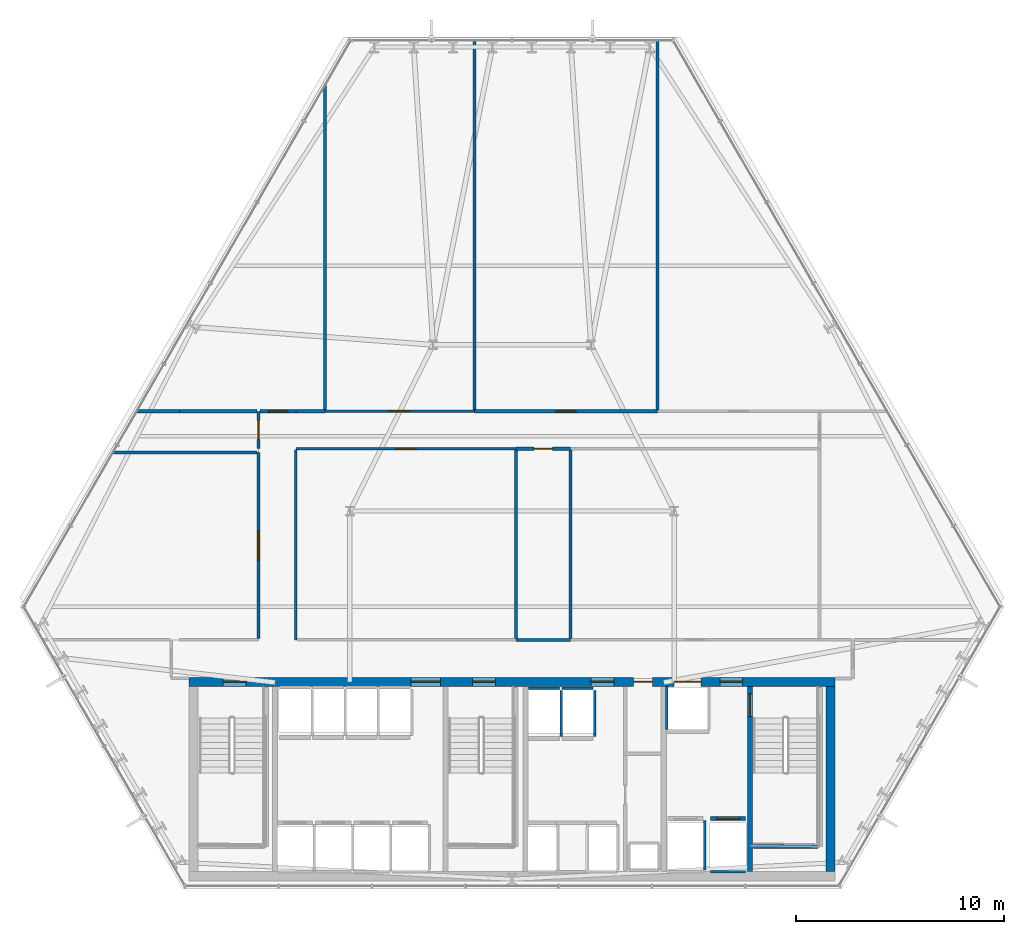
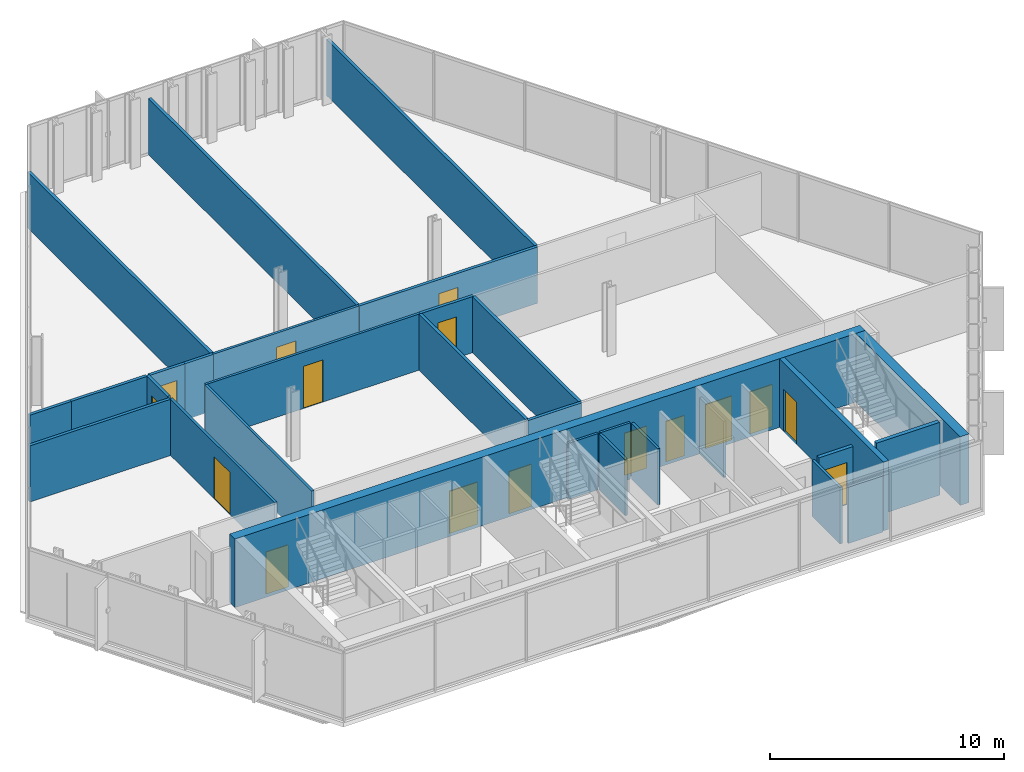
# One storey, part 27 of 32: 30 walls, 16 doors, 16 openings.
"""IFC4 building model written with IfcOpenShell, lengths in metres."""

import ifcopenshell
import ifcopenshell.guid

model = None  # the IFC model being written
_history = None  # IfcOwnerHistory: only IFC2X3 demands one
_inside = {}  # id of a spatial element -> (the spatial element, [elements in it])
_under = {}  # id of a project, library or spatial element -> (it, [spatial elements below it])
_declared = {}  # id of a project -> (the project, [libraries it declares])
_typed = {}  # id of a type object -> (the type object, [elements of that type])
_made_of = {}  # id of a material, layer set ... -> (it, [elements and type objects made of it])


def new_model(schema):
    """Start an empty IFC model of exactly this schema.

    Asked for "IFC4X3", IfcOpenShell would pick the latest addendum, in which some entities
    have other attributes; the version numbers below select the first issue.
    IFC2X3 requires an IfcOwnerHistory on every rooted entity: one is made here for all.
    """
    global model, _history
    if schema == "IFC4X3":
        model = ifcopenshell.file(schema_version=(4, 3, 0, 0))
    else:
        model = ifcopenshell.file(schema=schema)
    _inside.clear()
    _under.clear()
    _declared.clear()
    _typed.clear()
    _made_of.clear()
    _history = None
    if model.schema == "IFC2X3":
        org = make("IfcOrganization", Name="unknown")
        user = make(
            "IfcPersonAndOrganization",
            ThePerson=make("IfcPerson", FamilyName="unknown"),
            TheOrganization=org,
        )
        app = make(
            "IfcApplication",
            ApplicationDeveloper=org,
            Version="unknown",
            ApplicationFullName="unknown",
            ApplicationIdentifier="unknown",
        )
        _history = make(
            "IfcOwnerHistory",
            OwningUser=user,
            OwningApplication=app,
            ChangeAction="ADDED",
            CreationDate=0,
        )
    return model


def make(cls, **values):
    """One entity of the class cls with the attributes given. An attribute that is None is left unset."""
    return model.create_entity(
        cls, **{name: value for name, value in values.items() if value is not None}
    )


def rooted(cls, **values):
    """An entity with a GlobalId (a new one), such as an element, a storey or a relation."""
    return make(cls, GlobalId=ifcopenshell.guid.new(), OwnerHistory=_history, **values)


def si_unit(unit_type, name, prefix=None):
    """IfcSIUnit, for example si_unit("LENGTHUNIT", "METRE", prefix="MILLI")."""
    return make("IfcSIUnit", UnitType=unit_type, Prefix=prefix, Name=name)


def assignment(units):
    """IfcUnitAssignment: the units of a project."""
    return None if units is None else make("IfcUnitAssignment", Units=units)


def point(xyz):
    """IfcCartesianPoint."""
    return None if xyz is None else make("IfcCartesianPoint", Coordinates=xyz)


def direction(xyz):
    """IfcDirection."""
    return None if xyz is None else make("IfcDirection", DirectionRatios=xyz)


def frame(location, z_axis=None, x_axis=None):
    """IfcAxis2Placement3D, a coordinate frame: its origin and axes. An axis left out is left unset."""
    return make(
        "IfcAxis2Placement3D",
        Location=point(location),
        Axis=direction(z_axis),
        RefDirection=direction(x_axis),
    )


def frame_2d(location, x_axis=None):
    """IfcAxis2Placement2D, a coordinate frame in the plane: its origin and x axis."""
    return make(
        "IfcAxis2Placement2D", Location=point(location), RefDirection=direction(x_axis)
    )


def origin():
    """The frame at (0, 0, 0) with its axes left unset."""
    return frame((0.0, 0.0, 0.0))


def place(relative_to, where):
    """IfcLocalPlacement: puts the frame where relative to a parent placement (None: the world)."""
    return make(
        "IfcLocalPlacement", PlacementRelTo=relative_to, RelativePlacement=where
    )


def context(
    kind, dimensions, precision=None, world=None, true_north=None, identifier=None
):
    """IfcGeometricRepresentationContext, for example the 3D "Model" context."""
    return make(
        "IfcGeometricRepresentationContext",
        ContextIdentifier=identifier,
        ContextType=kind,
        CoordinateSpaceDimension=dimensions,
        Precision=precision,
        WorldCoordinateSystem=world,
        TrueNorth=true_north,
    )


def subcontext(parent, identifier, kind, view, scale=None):
    """IfcGeometricRepresentationSubContext, for example "Body" below "Model"."""
    return make(
        "IfcGeometricRepresentationSubContext",
        ContextIdentifier=identifier,
        ContextType=kind,
        ParentContext=parent,
        TargetScale=scale,
        TargetView=view,
    )


def project(units=None, contexts=None):
    """IfcProject with its units and contexts."""
    return rooted(
        "IfcProject",
        Name="project",
        RepresentationContexts=contexts,
        UnitsInContext=assignment(units),
    )


def spatial(cls, under=None, at=None, **own):
    """A site, building, storey or space (cls), placed at a placement, below another one or the project."""
    s = rooted(cls, ObjectPlacement=at, **own)
    if under is not None:
        _under.setdefault(under.id(), (under, []))[1].append(s)
    return s


def profile(cls, at=None, kind="AREA", **sizes):
    """A parametric profile (cls). Its sizes go by their IFC names, for example OverallWidth=200.0."""
    return make(cls, ProfileType=kind, Position=at, **sizes)


def rectangle(**sizes):
    """IfcRectangleProfileDef."""
    return profile("IfcRectangleProfileDef", **sizes)


def extrude(swept, where, along, depth):
    """IfcExtrudedAreaSolid: the profile swept, set in the frame where, extruded along a direction by depth."""
    return make(
        "IfcExtrudedAreaSolid",
        SweptArea=swept,
        Position=where,
        ExtrudedDirection=direction(along),
        Depth=depth,
    )


def shape(context_of_items, identifier, shape_type, items):
    """IfcShapeRepresentation: the items that make up one representation, for example the "Body"."""
    return make(
        "IfcShapeRepresentation",
        ContextOfItems=context_of_items,
        RepresentationIdentifier=identifier,
        RepresentationType=shape_type,
        Items=items,
    )


def material(Name=None, Category=None):
    """IfcMaterial."""
    return make("IfcMaterial", Name=Name, Category=Category)


def layer(
    of_material, thickness, ventilated=None, Name=None, Category=None, Priority=None
):
    """IfcMaterialLayer: one layer of a wall or slab, of a material (None: an air gap)."""
    return make(
        "IfcMaterialLayer",
        Material=of_material,
        LayerThickness=thickness,
        IsVentilated=ventilated,
        Name=Name,
        Category=Category,
        Priority=Priority,
    )


def layer_set(layers, Name=None):
    """IfcMaterialLayerSet."""
    return make("IfcMaterialLayerSet", MaterialLayers=layers, LayerSetName=Name)


def made_of(thing, what):
    """Note that an element or type object is made of a material, layer set ...; save() writes the relation."""
    if what is not None:
        _made_of.setdefault(what.id(), (what, []))[1].append(thing)
    return thing


def type_object(cls, material=None, **own):
    """A type object (cls), such as IfcWallType, which elements share."""
    return made_of(rooted(cls, **own), material)


def element(
    cls,
    number,
    at=None,
    inside=None,
    cuts=None,
    type_object=None,
    material=None,
    context=None,
    identifier="Body",
    shape_type=None,
    held_by="IfcProductDefinitionShape",
    body=None,
    shapes=None,
    **own,
):
    """One element of the class cls, such as IfcWall. Its Tag is "e" and its number.

    at: its placement. inside: the storey or other place that contains it. cuts: it is an
    opening in that element (IfcRelVoidsElement). A single representation is given by context,
    identifier, shape_type and body (its items); several are given by shapes. held_by: the class
    of the entity that holds the representations. save() writes the other relations.
    """
    e = rooted(cls, Tag="e%d" % number, ObjectPlacement=at, **own)
    if body is not None:
        shapes = [shape(context, identifier, shape_type, body)]
    if shapes is not None:
        e.Representation = make(held_by, Representations=shapes)
    if inside is not None:
        _inside.setdefault(inside.id(), (inside, []))[1].append(e)
    if cuts is not None:
        rooted(
            "IfcRelVoidsElement", RelatingBuildingElement=cuts, RelatedOpeningElement=e
        )
    if type_object is not None:
        _typed.setdefault(type_object.id(), (type_object, []))[1].append(e)
    return made_of(e, material)


def fill(opening, filler):
    """IfcRelFillsElement: the door or window that sits in an opening."""
    return rooted(
        "IfcRelFillsElement",
        RelatingOpeningElement=opening,
        RelatedBuildingElement=filler,
    )


def aggregate(whole, parts):
    """IfcRelAggregates: a whole, such as a stair, and the parts it consists of."""
    return rooted("IfcRelAggregates", RelatingObject=whole, RelatedObjects=parts)


def save(model, path):
    """Write the relations noted so far, then the file.

    IfcRelAggregates (storeys below a building ...), IfcRelContainedInSpatialStructure (elements
    in a storey), IfcRelDefinesByType, IfcRelAssociatesMaterial and IfcRelDeclares: one each for
    every whole, place, type object, material and project.
    """
    for whole, parts in _under.values():
        aggregate(whole, parts)
    for where, things in _inside.values():
        rooted(
            "IfcRelContainedInSpatialStructure",
            RelatedElements=things,
            RelatingStructure=where,
        )
    for kind, things in _typed.values():
        rooted("IfcRelDefinesByType", RelatedObjects=things, RelatingType=kind)
    for what, things in _made_of.values():
        rooted("IfcRelAssociatesMaterial", RelatedObjects=things, RelatingMaterial=what)
    for by, libraries in _declared.values():
        rooted("IfcRelDeclares", RelatingContext=by, RelatedDefinitions=libraries)
    model.write(path)


model = new_model("IFC4")

# Units and contexts
model_context = context("Model", 3, precision=1e-05, world=origin(), true_north=direction((0.0, 1.0)))
body_context = subcontext(model_context, "Body", "Model", "MODEL_VIEW")
ifc_project = project(units=[si_unit("LENGTHUNIT", "METRE"), si_unit("AREAUNIT", "SQUARE_METRE"), si_unit("VOLUMEUNIT", "CUBIC_METRE"), si_unit("PLANEANGLEUNIT", "RADIAN"), si_unit("MASSUNIT", "GRAM", prefix="KILO")], contexts=[model_context])

# Site, building, storey
site_placement = place(None, origin())
site = spatial("IfcSite", under=ifc_project, at=site_placement, CompositionType="ELEMENT")
building_placement = place(site_placement, origin())
building = spatial("IfcBuilding", under=site, at=building_placement, Name="Ndaravel Arena Tower", CompositionType="ELEMENT")
storey_placement = place(building_placement, frame((0.0, 0.0, 58.800048828125)))
storey = spatial("IfcBuildingStorey", under=building, at=storey_placement, Name="L12", CompositionType="ELEMENT", Elevation=58.800048828125)

# Wall, opening, door
ifc_material_1 = material(Name="Concrete C60/75", Category="concrete")
ifc_layer_1 = layer(ifc_material_1, 0.25)
ifc_layer_set_1 = layer_set([ifc_layer_1], Name="Concrete C60/75")
wall_type_1 = type_object("IfcWallType", Name="WALL-CORE-250", PredefinedType="SOLIDWALL", material=ifc_layer_set_1)
wall_1_placement = place(storey_placement, frame((53.449951171875, 5.85009765625, 0.0), z_axis=(0.0, 0.0, 1.0), x_axis=(0.0, 1.0, 0.0)))
wall_1 = element("IfcWall", 1, at=wall_1_placement, inside=storey, type_object=wall_type_1, Name="L12 Core Web Shear Wall 5", PredefinedType="SOLIDWALL", context=body_context, shape_type="SweptSolid", body=[
    extrude(rectangle(XDim=8.89990234375, YDim=0.25, at=frame_2d((4.449951171875, 0.0))), origin(), (0.0, 0.0, 1.0), 3.579833984375),
])
opening_1_placement = place(wall_1_placement, frame((7.449951171875, 0.0, 0.0)))
opening_1 = element("IfcOpeningElement", 2, at=opening_1_placement, cuts=wall_1, Name="Opening FD-01", PredefinedType="OPENING", context=body_context, shape_type="SweptSolid", body=[
    extrude(rectangle(XDim=1.10009765625, YDim=2.199951171875, at=frame_2d((0.550048828125, 1.10009765625))), frame((0.0, 0.125, 0.0), z_axis=(0.0, -1.0, 0.0), x_axis=(1.0, 0.0, 0.0)), (0.0, 0.0, 1.0), 0.25),
])
ifc_material_2 = material(Name="Steel S355", Category="steel")
door_type_1 = type_object("IfcDoorType", Name="DT-01-STAIR-1100", OperationType="SINGLE_SWING_LEFT", PredefinedType="DOOR", material=ifc_material_2)
door_1_placement = place(opening_1_placement, origin())
door_1 = element("IfcDoor", 3, at=door_1_placement, inside=storey, type_object=door_type_1, Name="L12 Firefighting Lobby to ST-3 Door", OperationType="SINGLE_SWING_LEFT", OverallHeight=2.199951171875, OverallWidth=1.10009765625, PredefinedType="DOOR", context=body_context, shape_type="SweptSolid", body=[
    extrude(rectangle(XDim=1.10009765625, YDim=2.199951171875, at=frame_2d((0.550048828125, 1.10009765625))), frame((0.0, 0.02490234375, 0.0), z_axis=(0.0, -1.0, 0.0), x_axis=(1.0, 0.0, 0.0)), (0.0, 0.0, 1.0), 0.050048828125),
])
fill(opening_1, door_1)

# Wall, openings, doors
ifc_material_3 = material(Name="Concrete C60/75", Category="concrete")
ifc_layer_2 = layer(ifc_material_3, 0.449951171875)
ifc_layer_set_2 = layer_set([ifc_layer_2], Name="Concrete C60/75")
wall_type_2 = type_object("IfcWallType", Name="WALL-CORE-450", PredefinedType="SOLIDWALL", material=ifc_layer_set_2)
wall_2_placement = place(storey_placement, frame((26.449951171875, 14.97509765625, 0.0), z_axis=(0.0, 0.0, 1.0), x_axis=(1.0, 0.0, 0.0)))
wall_2 = element("IfcWall", 4, at=wall_2_placement, inside=storey, type_object=wall_type_2, Name="L12 Core North Shear Wall", PredefinedType="SOLIDWALL", context=body_context, shape_type="SweptSolid", body=[
    extrude(rectangle(XDim=31.10009765625, YDim=0.449951171875, at=frame_2d((15.550048828125, 0.0))), origin(), (0.0, 0.0, 1.0), 3.579833984375),
])
opening_2_placement = place(wall_2_placement, frame((1.64990234375, 0.0, 0.0)))
opening_2 = element("IfcOpeningElement", 5, at=opening_2_placement, cuts=wall_2, Name="Opening FD-01", PredefinedType="OPENING", context=body_context, shape_type="SweptSolid", body=[
    extrude(rectangle(XDim=1.10009765625, YDim=2.199951171875, at=frame_2d((0.550048828125, 1.10009765625))), frame((0.0, 0.22509765625, 0.0), z_axis=(0.0, -1.0, 0.0), x_axis=(1.0, 0.0, 0.0)), (0.0, 0.0, 1.0), 0.449951171875),
])
opening_3_placement = place(wall_2_placement, frame((13.64990234375, 0.0, 0.0)))
opening_3 = element("IfcOpeningElement", 6, at=opening_3_placement, cuts=wall_2, Name="Opening FD-01", PredefinedType="OPENING", context=body_context, shape_type="SweptSolid", body=[
    extrude(rectangle(XDim=1.10009765625, YDim=2.199951171875, at=frame_2d((0.550048828125, 1.10009765625))), frame((0.0, 0.22509765625, 0.0), z_axis=(0.0, -1.0, 0.0), x_axis=(1.0, 0.0, 0.0)), (0.0, 0.0, 1.0), 0.449951171875),
])
opening_4_placement = place(wall_2_placement, frame((25.550048828125, 0.0, 0.0)))
opening_4 = element("IfcOpeningElement", 7, at=opening_4_placement, cuts=wall_2, Name="Opening FD-01", PredefinedType="OPENING", context=body_context, shape_type="SweptSolid", body=[
    extrude(rectangle(XDim=1.10009765625, YDim=2.199951171875, at=frame_2d((0.550048828125, 1.10009765625))), frame((0.0, 0.22509765625, 0.0), z_axis=(0.0, -1.0, 0.0), x_axis=(1.0, 0.0, 0.0)), (0.0, 0.0, 1.0), 0.449951171875),
])
opening_5_placement = place(wall_2_placement, frame((10.699951171875, 0.0, 0.0)))
opening_5 = element("IfcOpeningElement", 8, at=opening_5_placement, cuts=wall_2, Name="Opening ID-02", PredefinedType="OPENING", context=body_context, shape_type="SweptSolid", body=[
    extrude(rectangle(XDim=1.39990234375, YDim=2.199951171875, at=frame_2d((0.699951171875, 1.10009765625))), frame((0.0, 0.22509765625, 0.0), z_axis=(0.0, -1.0, 0.0), x_axis=(1.0, 0.0, 0.0)), (0.0, 0.0, 1.0), 0.449951171875),
])
opening_6_placement = place(wall_2_placement, frame((19.35009765625, 0.0, 0.0)))
opening_6 = element("IfcOpeningElement", 9, at=opening_6_placement, cuts=wall_2, Name="Opening FD-01", PredefinedType="OPENING", context=body_context, shape_type="SweptSolid", body=[
    extrude(rectangle(XDim=1.10009765625, YDim=2.199951171875, at=frame_2d((0.550048828125, 1.10009765625))), frame((0.0, 0.22509765625, 0.0), z_axis=(0.0, -1.0, 0.0), x_axis=(1.0, 0.0, 0.0)), (0.0, 0.0, 1.0), 0.449951171875),
])
opening_7_placement = place(wall_2_placement, frame((21.39990234375, 0.0, 0.0)))
opening_7 = element("IfcOpeningElement", 10, at=opening_7_placement, cuts=wall_2, Name="Opening RD-01", PredefinedType="OPENING", context=body_context, shape_type="SweptSolid", body=[
    extrude(rectangle(XDim=0.89990234375, YDim=2.10009765625, at=frame_2d((0.449951171875, 1.050048828125))), frame((0.0, 0.22509765625, 0.0), z_axis=(0.0, -1.0, 0.0), x_axis=(1.0, 0.0, 0.0)), (0.0, 0.0, 1.0), 0.449951171875),
])
opening_8_placement = place(wall_2_placement, frame((23.35009765625, 0.0, 0.0)))
opening_8 = element("IfcOpeningElement", 11, at=opening_8_placement, cuts=wall_2, Name="Opening LD-02", PredefinedType="OPENING", context=body_context, shape_type="SweptSolid", body=[
    extrude(rectangle(XDim=1.300048828125, YDim=2.300048828125, at=frame_2d((0.64990234375, 1.14990234375))), frame((0.0, 0.22509765625, 0.0), z_axis=(0.0, -1.0, 0.0), x_axis=(1.0, 0.0, 0.0)), (0.0, 0.0, 1.0), 0.449951171875),
])
door_2_placement = place(opening_2_placement, origin())
door_2 = element("IfcDoor", 12, at=door_2_placement, inside=storey, type_object=door_type_1, Name="L12 Exit Stair ST-1 Door", OperationType="SINGLE_SWING_LEFT", OverallHeight=2.199951171875, OverallWidth=1.10009765625, PredefinedType="DOOR", context=body_context, shape_type="SweptSolid", body=[
    extrude(rectangle(XDim=1.10009765625, YDim=2.199951171875, at=frame_2d((0.550048828125, 1.10009765625))), frame((0.0, 0.02490234375, 0.0), z_axis=(0.0, -1.0, 0.0), x_axis=(1.0, 0.0, 0.0)), (0.0, 0.0, 1.0), 0.050048828125),
])
fill(opening_2, door_2)
door_3_placement = place(opening_3_placement, origin())
door_3 = element("IfcDoor", 13, at=door_3_placement, inside=storey, type_object=door_type_1, Name="L12 Exit Stair ST-2 Door", OperationType="SINGLE_SWING_RIGHT", OverallHeight=2.199951171875, OverallWidth=1.10009765625, PredefinedType="DOOR", context=body_context, shape_type="SweptSolid", body=[
    extrude(rectangle(XDim=1.10009765625, YDim=2.199951171875, at=frame_2d((0.550048828125, 1.10009765625))), frame((0.0, 0.02490234375, 0.0), z_axis=(0.0, -1.0, 0.0), x_axis=(1.0, 0.0, 0.0)), (0.0, 0.0, 1.0), 0.050048828125),
])
fill(opening_3, door_3)
door_4_placement = place(opening_4_placement, origin())
door_4 = element("IfcDoor", 14, at=door_4_placement, inside=storey, type_object=door_type_1, Name="L12 Firefighting Lift Lobby Door", OperationType="SINGLE_SWING_RIGHT", OverallHeight=2.199951171875, OverallWidth=1.10009765625, PredefinedType="DOOR", context=body_context, shape_type="SweptSolid", body=[
    extrude(rectangle(XDim=1.10009765625, YDim=2.199951171875, at=frame_2d((0.550048828125, 1.10009765625))), frame((0.0, 0.02490234375, 0.0), z_axis=(0.0, -1.0, 0.0), x_axis=(1.0, 0.0, 0.0)), (0.0, 0.0, 1.0), 0.050048828125),
])
fill(opening_4, door_4)
door_5_placement = place(opening_6_placement, origin())
door_5 = element("IfcDoor", 15, at=door_5_placement, inside=storey, type_object=door_type_1, Name="L12 Express Lift Lobby Entry Door", OperationType="SINGLE_SWING_LEFT", OverallHeight=2.199951171875, OverallWidth=1.10009765625, PredefinedType="DOOR", context=body_context, shape_type="SweptSolid", body=[
    extrude(rectangle(XDim=1.10009765625, YDim=2.199951171875, at=frame_2d((0.550048828125, 1.10009765625))), frame((0.0, 0.02490234375, 0.0), z_axis=(0.0, -1.0, 0.0), x_axis=(1.0, 0.0, 0.0)), (0.0, 0.0, 1.0), 0.050048828125),
])
fill(opening_6, door_5)
ifc_material_4 = material(Name="Timber", Category="wood")
door_type_2 = type_object("IfcDoorType", Name="DT-04-SUITE-1400", OperationType="DOUBLE_DOOR_SINGLE_SWING", PredefinedType="DOOR", material=ifc_material_4)
door_6_placement = place(opening_5_placement, origin())
door_6 = element("IfcDoor", 16, at=door_6_placement, inside=storey, type_object=door_type_2, Name="L12 West Lift Lobby Entry Door", OperationType="DOUBLE_DOOR_SINGLE_SWING", OverallHeight=2.199951171875, OverallWidth=1.39990234375, PredefinedType="DOOR", context=body_context, shape_type="SweptSolid", body=[
    extrude(rectangle(XDim=1.39990234375, YDim=2.199951171875, at=frame_2d((0.699951171875, 1.10009765625))), frame((0.0, 0.02490234375, 0.0), z_axis=(0.0, -1.0, 0.0), x_axis=(1.0, 0.0, 0.0)), (0.0, 0.0, 1.0), 0.050048828125),
])
fill(opening_5, door_6)
ifc_material_5 = material(Name="Steel S355", Category="steel")
door_type_3 = type_object("IfcDoorType", Name="DT-07-SVLIFT-1300", OperationType="DOUBLE_DOOR_SLIDING", PredefinedType="DOOR", material=ifc_material_5)
door_7_placement = place(opening_8_placement, origin())
door_7 = element("IfcDoor", 17, at=door_7_placement, inside=storey, type_object=door_type_3, Name="L12 Lift SVL-1 Sliding Landing Door", OperationType="DOUBLE_DOOR_SLIDING", OverallHeight=2.300048828125, OverallWidth=1.300048828125, PredefinedType="DOOR", context=body_context, shape_type="SweptSolid", body=[
    extrude(rectangle(XDim=1.300048828125, YDim=2.300048828125, at=frame_2d((0.64990234375, 1.14990234375))), frame((0.0, 0.02490234375, 0.0), z_axis=(0.0, -1.0, 0.0), x_axis=(1.0, 0.0, 0.0)), (0.0, 0.0, 1.0), 0.050048828125),
])
fill(opening_8, door_7)
ifc_material_6 = material(Name="Steel S355", Category="steel")
door_type_4 = type_object("IfcDoorType", Name="DT-08-RISER-900", OperationType="SINGLE_SWING_LEFT", PredefinedType="DOOR", material=ifc_material_6)
door_8_placement = place(opening_7_placement, origin())
door_8 = element("IfcDoor", 18, at=door_8_placement, inside=storey, type_object=door_type_4, Name="L12 Core Service Riser North Door", OperationType="SINGLE_SWING_LEFT", OverallHeight=2.10009765625, OverallWidth=0.89990234375, PredefinedType="DOOR", context=body_context, shape_type="SweptSolid", body=[
    extrude(rectangle(XDim=0.89990234375, YDim=2.10009765625, at=frame_2d((0.449951171875, 1.050048828125))), frame((0.0, 0.02490234375, 0.0), z_axis=(0.0, -1.0, 0.0), x_axis=(1.0, 0.0, 0.0)), (0.0, 0.0, 1.0), 0.050048828125),
])
fill(opening_7, door_8)

# Wall
wall_3_placement = place(storey_placement, frame((57.324951171875, 5.85009765625, 0.0), z_axis=(0.0, 0.0, 1.0), x_axis=(0.0, 1.0, 0.0)))
element("IfcWall", 19, at=wall_3_placement, inside=storey, type_object=wall_type_2, Name="L12 Core East Shear Wall", PredefinedType="SOLIDWALL", context=body_context, shape_type="SweptSolid", body=[
    extrude(rectangle(XDim=8.89990234375, YDim=0.449951171875, at=frame_2d((4.449951171875, 0.0))), origin(), (0.0, 0.0, 1.0), 3.579833984375),
])

# Wall, opening, door
ifc_material_7 = material(Name="Gypsum", Category="gypsum")
ifc_layer_3 = layer(ifc_material_7, 0.125)
ifc_layer_set_3 = layer_set([ifc_layer_3], Name="Gypsum")
wall_type_3 = type_object("IfcWallType", Name="WALL-PART-125", PredefinedType="PARTITIONING", material=ifc_layer_set_3)
wall_4_placement = place(storey_placement, frame((29.800048828125, 17.06494140625, 0.0), z_axis=(0.0, 0.0, 1.0), x_axis=(0.0, 1.0, 0.0)))
wall_4 = element("IfcWall", 20, at=wall_4_placement, inside=storey, type_object=wall_type_3, Name="L12 Interior Partition 006", PredefinedType="PARTITIONING", context=body_context, shape_type="SweptSolid", body=[
    extrude(rectangle(XDim=8.955078125, YDim=0.125, at=frame_2d((4.4775390625, 0.0))), origin(), (0.0, 0.0, 1.0), 2.932861328125),
])
opening_9_placement = place(wall_4_placement, frame((3.777587890625, 0.0, 0.0)))
opening_9 = element("IfcOpeningElement", 21, at=opening_9_placement, cuts=wall_4, Name="Opening ID-02", PredefinedType="OPENING", context=body_context, shape_type="SweptSolid", body=[
    extrude(rectangle(XDim=1.39990234375, YDim=2.199951171875, at=frame_2d((0.699951171875, 1.10009765625))), frame((0.0, 0.0625, 0.0), z_axis=(0.0, -1.0, 0.0), x_axis=(1.0, 0.0, 0.0)), (0.0, 0.0, 1.0), 0.125),
])
door_9_placement = place(opening_9_placement, origin())
door_9 = element("IfcDoor", 22, at=door_9_placement, inside=storey, type_object=door_type_2, Name="L12 Visitor Reception Desk Door", OperationType="SINGLE_SWING_LEFT", OverallHeight=2.199951171875, OverallWidth=1.39990234375, PredefinedType="DOOR", context=body_context, shape_type="SweptSolid", body=[
    extrude(rectangle(XDim=1.39990234375, YDim=2.199951171875, at=frame_2d((0.699951171875, 1.10009765625))), frame((0.0, 0.02490234375, 0.0), z_axis=(0.0, -1.0, 0.0), x_axis=(1.0, 0.0, 0.0)), (0.0, 0.0, 1.0), 0.050048828125),
])
fill(opening_9, door_9)

wall_5_placement = place(storey_placement, frame((33.0, 28.0, 0.0), z_axis=(0.0, 0.0, 1.0), x_axis=(1.0, 0.0, 0.0)))
wall_5 = element("IfcWall", 23, at=wall_5_placement, inside=storey, type_object=wall_type_3, Name="L12 Interior Partition 010", PredefinedType="PARTITIONING", context=body_context, shape_type="SweptSolid", body=[
    extrude(rectangle(XDim=7.199951171875, YDim=0.125, at=frame_2d((3.60009765625, 0.0))), origin(), (0.0, 0.0, 1.0), 2.932861328125),
])
opening_10_placement = place(wall_5_placement, frame((3.125, 0.0, 0.0)))
opening_10 = element("IfcOpeningElement", 24, at=opening_10_placement, cuts=wall_5, Name="Opening ID-01", PredefinedType="OPENING", context=body_context, shape_type="SweptSolid", body=[
    extrude(rectangle(XDim=0.949951171875, YDim=2.199951171875, at=frame_2d((0.47509765625, 1.10009765625))), frame((0.0, 0.0625, 0.0), z_axis=(0.0, -1.0, 0.0), x_axis=(1.0, 0.0, 0.0)), (0.0, 0.0, 1.0), 0.125),
])
ifc_material_8 = material(Name="Timber", Category="wood")
door_type_5 = type_object("IfcDoorType", Name="DT-03-OFFICE-950", OperationType="SINGLE_SWING_LEFT", PredefinedType="DOOR", material=ifc_material_8)
door_10_placement = place(opening_10_placement, origin())
door_10 = element("IfcDoor", 25, at=door_10_placement, inside=storey, type_object=door_type_5, Name="L12 Executive Corner Office 4 Door", OperationType="SINGLE_SWING_LEFT", OverallHeight=2.199951171875, OverallWidth=0.949951171875, PredefinedType="DOOR", context=body_context, shape_type="SweptSolid", body=[
    extrude(rectangle(XDim=0.949951171875, YDim=2.199951171875, at=frame_2d((0.47509765625, 1.10009765625))), frame((0.0, 0.02490234375, 0.0), z_axis=(0.0, -1.0, 0.0), x_axis=(1.0, 0.0, 0.0)), (0.0, 0.0, 1.0), 0.050048828125),
])
fill(opening_10, door_10)

wall_6_placement = place(storey_placement, frame((42.18408203125, 26.199951171875, 0.0), z_axis=(0.0, 0.0, 1.0), x_axis=(-1.0, 0.0, 0.0)))
wall_6 = element("IfcWall", 26, at=wall_6_placement, inside=storey, type_object=wall_type_3, Name="L12 Interior Partition 016", PredefinedType="PARTITIONING", context=body_context, shape_type="SweptSolid", body=[
    extrude(rectangle(XDim=10.583984375, YDim=0.125, at=frame_2d((5.2919921875, 0.0))), origin(), (0.0, 0.0, 1.0), 2.932861328125),
])
opening_11_placement = place(wall_6_placement, frame((4.81689453125, 0.0, 0.0)))
opening_11 = element("IfcOpeningElement", 27, at=opening_11_placement, cuts=wall_6, Name="Opening ID-01", PredefinedType="OPENING", context=body_context, shape_type="SweptSolid", body=[
    extrude(rectangle(XDim=0.949951171875, YDim=2.199951171875, at=frame_2d((0.47509765625, 1.10009765625))), frame((0.0, 0.0625, 0.0), z_axis=(0.0, -1.0, 0.0), x_axis=(1.0, 0.0, 0.0)), (0.0, 0.0, 1.0), 0.125),
])
door_11_placement = place(opening_11_placement, origin())
door_11 = element("IfcDoor", 28, at=door_11_placement, inside=storey, type_object=door_type_5, Name="L12 Floor Security Control Room Door", OperationType="SINGLE_SWING_RIGHT", OverallHeight=2.199951171875, OverallWidth=0.949951171875, PredefinedType="DOOR", context=body_context, shape_type="SweptSolid", body=[
    extrude(rectangle(XDim=0.949951171875, YDim=2.199951171875, at=frame_2d((0.47509765625, 1.10009765625))), frame((0.0, 0.02490234375, 0.0), z_axis=(0.0, -1.0, 0.0), x_axis=(1.0, 0.0, 0.0)), (0.0, 0.0, 1.0), 0.050048828125),
])
fill(opening_11, door_11)

# Walls
wall_7_placement = place(storey_placement, frame((31.60009765625, 26.135009765625, 0.0), z_axis=(0.0, 0.0, 1.0), x_axis=(0.0, -1.0, 0.0)))
element("IfcWall", 29, at=wall_7_placement, inside=storey, type_object=wall_type_3, Name="L12 Interior Partition 017", PredefinedType="PARTITIONING", context=body_context, shape_type="SweptSolid", body=[
    extrude(rectangle(XDim=9.135009765625, YDim=0.125, at=frame_2d((4.5673828125, 0.0))), origin(), (0.0, 0.0, 1.0), 2.932861328125),
])
ifc_material_9 = material(Name="Concrete C40/50", Category="concrete")
ifc_layer_4 = layer(ifc_material_9, 0.1201171875)
ifc_layer_set_4 = layer_set([ifc_layer_4], Name="Concrete C40/50")
wall_type_4 = type_object("IfcWallType", Name="WALL-SHAFT-120", PredefinedType="SOLIDWALL", material=ifc_layer_set_4)
wall_8_placement = place(storey_placement, frame((42.804931640625, 14.659912109375, 0.0), z_axis=(0.0, 0.0, 1.0), x_axis=(1.0, 0.0, 0.0)))
element("IfcWall", 30, at=wall_8_placement, inside=storey, type_object=wall_type_4, Name="L12 PL-OBS1 Shaft Rear Wall", PredefinedType="SOLIDWALL", context=body_context, shape_type="SweptSolid", body=[
    extrude(rectangle(XDim=1.489990234375, YDim=0.1201171875, at=frame_2d((0.7451171875, 0.0))), origin(), (0.0, 0.0, 1.0), 2.932861328125),
])
wall_9_placement = place(storey_placement, frame((44.375, 12.340087890625, 0.0), z_axis=(0.0, 0.0, 1.0), x_axis=(0.0, 1.0, 0.0)))
element("IfcWall", 31, at=wall_9_placement, inside=storey, type_object=wall_type_4, Name="L12 PL-OBS1 Shaft Side R Wall", PredefinedType="SOLIDWALL", context=body_context, shape_type="SweptSolid", body=[
    extrude(rectangle(XDim=2.22998046875, YDim=0.1201171875, at=frame_2d((1.114990234375, 0.0))), origin(), (0.0, 0.0, 1.0), 2.932861328125),
])
wall_10_placement = place(storey_placement, frame((44.405029296875, 14.659912109375, 0.0), z_axis=(0.0, 0.0, 1.0), x_axis=(1.0, 0.0, 0.0)))
element("IfcWall", 32, at=wall_10_placement, inside=storey, type_object=wall_type_4, Name="L12 PL-OBS2 Shaft Rear Wall", PredefinedType="SOLIDWALL", context=body_context, shape_type="SweptSolid", body=[
    extrude(rectangle(XDim=1.489990234375, YDim=0.1201171875, at=frame_2d((0.7451171875, 0.0))), origin(), (0.0, 0.0, 1.0), 2.932861328125),
])
wall_11_placement = place(storey_placement, frame((45.97509765625, 12.340087890625, 0.0), z_axis=(0.0, 0.0, 1.0), x_axis=(0.0, 1.0, 0.0)))
element("IfcWall", 33, at=wall_11_placement, inside=storey, type_object=wall_type_4, Name="L12 PL-OBS2 Shaft Side R Wall", PredefinedType="SOLIDWALL", context=body_context, shape_type="SweptSolid", body=[
    extrude(rectangle(XDim=2.22998046875, YDim=0.1201171875, at=frame_2d((1.114990234375, 0.0))), origin(), (0.0, 0.0, 1.0), 2.932861328125),
])
wall_12_placement = place(storey_placement, frame((51.27490234375, 5.929931640625, 0.0), z_axis=(0.0, 0.0, 1.0), x_axis=(0.0, 1.0, 0.0)))
element("IfcWall", 34, at=wall_12_placement, inside=storey, type_object=wall_type_4, Name="L12 FFL-1 Shaft Side R Wall", PredefinedType="SOLIDWALL", context=body_context, shape_type="SweptSolid", body=[
    extrude(rectangle(XDim=2.380126953125, YDim=0.1201171875, at=frame_2d((1.18994140625, 0.0))), origin(), (0.0, 0.0, 1.0), 2.932861328125),
])
wall_13_placement = place(storey_placement, frame((51.554931640625, 5.840087890625, 0.0), z_axis=(0.0, 0.0, 1.0), x_axis=(1.0, 0.0, 0.0)))
element("IfcWall", 35, at=wall_13_placement, inside=storey, type_object=wall_type_4, Name="L12 FFL-2 Shaft Rear Wall", PredefinedType="SOLIDWALL", context=body_context, shape_type="SweptSolid", body=[
    extrude(rectangle(XDim=1.690185546875, YDim=0.1201171875, at=frame_2d((0.84521484375, 0.0))), origin(), (0.0, 0.0, 1.0), 2.932861328125),
])
wall_14_placement = place(storey_placement, frame((49.43994140625, 12.68994140625, 0.0), z_axis=(0.0, 0.0, 1.0), x_axis=(0.0, 1.0, 0.0)))
element("IfcWall", 36, at=wall_14_placement, inside=storey, type_object=wall_type_4, Name="L12 SVL-1 Shaft W Wall", PredefinedType="SOLIDWALL", context=body_context, shape_type="SweptSolid", body=[
    extrude(rectangle(XDim=2.070068359375, YDim=0.1201171875, at=frame_2d((1.03515625, 0.0))), origin(), (0.0, 0.0, 1.0), 2.932861328125),
])
ifc_material_10 = material(Name="Concrete C40/50", Category="concrete")
ifc_layer_5 = layer(ifc_material_10, 0.199951171875)
ifc_layer_set_5 = layer_set([ifc_layer_5], Name="Concrete C40/50")
wall_type_5 = type_object("IfcWallType", Name="WALL-SHAFT-200", PredefinedType="SOLIDWALL", material=ifc_layer_set_5)
wall_15_placement = place(storey_placement, frame((53.6201171875, 7.050048828125, 0.0), z_axis=(0.0, 0.0, 1.0), x_axis=(1.0, 0.0, 0.0)))
element("IfcWall", 37, at=wall_15_placement, inside=storey, type_object=wall_type_5, Name="L12 ST-3 Structural Shaft Wall Far", PredefinedType="SOLIDWALL", context=body_context, shape_type="SweptSolid", body=[
    extrude(rectangle(XDim=3.114990234375, YDim=0.199951171875, at=frame_2d((1.5576171875, 0.0))), origin(), (0.0, 0.0, 1.0), 3.800048828125),
])

# Wall, opening, door
wall_16_placement = place(storey_placement, frame((51.554931640625, 8.39990234375, 0.0), z_axis=(0.0, 0.0, 1.0), x_axis=(1.0, 0.0, 0.0)))
wall_16 = element("IfcWall", 38, at=wall_16_placement, inside=storey, type_object=wall_type_5, Name="L12 FFL-2 Shaft Landing Wall", PredefinedType="SOLIDWALL", context=body_context, shape_type="SweptSolid", body=[
    extrude(rectangle(XDim=1.690185546875, YDim=0.179931640625, at=frame_2d((0.84521484375, 0.0))), origin(), (0.0, 0.0, 1.0), 2.932861328125),
])
opening_12_placement = place(wall_16_placement, frame((0.294921875, 0.0, 0.0)))
opening_12 = element("IfcOpeningElement", 39, at=opening_12_placement, cuts=wall_16, Name="Opening LD-01", PredefinedType="OPENING", context=body_context, shape_type="SweptSolid", body=[
    extrude(rectangle(XDim=1.10009765625, YDim=2.199951171875, at=frame_2d((0.550048828125, 1.10009765625))), frame((0.0, 0.08984375, 0.0), z_axis=(0.0, -1.0, 0.0), x_axis=(1.0, 0.0, 0.0)), (0.0, 0.0, 1.0), 0.179931640625),
])
ifc_material_11 = material(Name="Steel S355", Category="steel")
door_type_6 = type_object("IfcDoorType", Name="DT-06-LIFT-1100", OperationType="SLIDING_TO_LEFT", PredefinedType="DOOR", material=ifc_material_11)
door_12_placement = place(opening_12_placement, origin())
door_12 = element("IfcDoor", 40, at=door_12_placement, inside=storey, type_object=door_type_6, Name="L12 Lift FFL-2 Sliding Landing Door", OperationType="SLIDING_TO_LEFT", OverallHeight=2.199951171875, OverallWidth=1.10009765625, PredefinedType="DOOR", context=body_context, shape_type="SweptSolid", body=[
    extrude(rectangle(XDim=1.10009765625, YDim=2.199951171875, at=frame_2d((0.550048828125, 1.10009765625))), frame((0.0, 0.02490234375, 0.0), z_axis=(0.0, -1.0, 0.0), x_axis=(1.0, 0.0, 0.0)), (0.0, 0.0, 1.0), 0.050048828125),
])
fill(opening_12, door_12)

ifc_material_12 = material(Name="Masonry", Category="masonry")
ifc_layer_6 = layer(ifc_material_12, 0.14990234375)
ifc_layer_set_6 = layer_set([ifc_layer_6], Name="Masonry")
wall_type_6 = type_object("IfcWallType", Name="WALL-WET-150", PredefinedType="PARTITIONING", material=ifc_layer_set_6)
wall_17_placement = place(storey_placement, frame((29.800048828125, 26.199951171875, 0.0), z_axis=(0.0, 0.0, 1.0), x_axis=(0.0, 1.0, 0.0)))
wall_17 = element("IfcWall", 41, at=wall_17_placement, inside=storey, type_object=wall_type_6, Name="L12 Interior Partition 007", PredefinedType="PARTITIONING", context=body_context, shape_type="SweptSolid", body=[
    extrude(rectangle(XDim=1.800048828125, YDim=0.14990234375, at=frame_2d((0.89990234375, 0.0))), origin(), (0.0, 0.0, 1.0), 2.932861328125),
])
opening_13_placement = place(wall_17_placement, frame((0.449951171875, 0.0, 0.0)))
opening_13 = element("IfcOpeningElement", 42, at=opening_13_placement, cuts=wall_17, Name="Opening WD-01", PredefinedType="OPENING", context=body_context, shape_type="SweptSolid", body=[
    extrude(rectangle(XDim=0.89990234375, YDim=2.14990234375, at=frame_2d((0.449951171875, 1.074951171875))), frame((0.0, 0.074951171875, 0.0), z_axis=(0.0, -1.0, 0.0), x_axis=(1.0, 0.0, 0.0)), (0.0, 0.0, 1.0), 0.14990234375),
])
ifc_material_13 = material(Name="Timber", Category="wood")
door_type_7 = type_object("IfcDoorType", Name="DT-05-WC-900", OperationType="SINGLE_SWING_LEFT", PredefinedType="DOOR", material=ifc_material_13)
door_13_placement = place(opening_13_placement, origin())
door_13 = element("IfcDoor", 43, at=door_13_placement, inside=storey, type_object=door_type_7, Name="L12 Female & Accessible Restroom Door", OperationType="SINGLE_SWING_RIGHT", OverallHeight=2.14990234375, OverallWidth=0.89990234375, PredefinedType="DOOR", context=body_context, shape_type="SweptSolid", body=[
    extrude(rectangle(XDim=0.89990234375, YDim=2.14990234375, at=frame_2d((0.449951171875, 1.074951171875))), frame((0.0, 0.02490234375, 0.0), z_axis=(0.0, -1.0, 0.0), x_axis=(1.0, 0.0, 0.0)), (0.0, 0.0, 1.0), 0.050048828125),
])
fill(opening_13, door_13)

wall_18_placement = place(storey_placement, frame((29.864990234375, 28.0, 0.0), z_axis=(0.0, 0.0, 1.0), x_axis=(1.0, 0.0, 0.0)))
wall_18 = element("IfcWall", 44, at=wall_18_placement, inside=storey, type_object=wall_type_6, Name="L12 Interior Partition 008", PredefinedType="PARTITIONING", context=body_context, shape_type="SweptSolid", body=[
    extrude(rectangle(XDim=1.735107421875, YDim=0.14990234375, at=frame_2d((0.86767578125, 0.0))), origin(), (0.0, 0.0, 1.0), 2.932861328125),
])
opening_14_placement = place(wall_18_placement, frame((0.392578125, 0.0, 0.0)))
opening_14 = element("IfcOpeningElement", 45, at=opening_14_placement, cuts=wall_18, Name="Opening FD-03", PredefinedType="OPENING", context=body_context, shape_type="SweptSolid", body=[
    extrude(rectangle(XDim=0.949951171875, YDim=2.199951171875, at=frame_2d((0.47509765625, 1.10009765625))), frame((0.0, 0.074951171875, 0.0), z_axis=(0.0, -1.0, 0.0), x_axis=(1.0, 0.0, 0.0)), (0.0, 0.0, 1.0), 0.14990234375),
])
ifc_material_14 = material(Name="Steel S355", Category="steel")
door_type_8 = type_object("IfcDoorType", Name="DT-11-CORE-950", OperationType="SINGLE_SWING_LEFT", PredefinedType="DOOR", material=ifc_material_14)
door_14_placement = place(opening_14_placement, origin())
door_14 = element("IfcDoor", 46, at=door_14_placement, inside=storey, type_object=door_type_8, Name="L12 Catering Pantry 2 Door", OperationType="SINGLE_SWING_LEFT", OverallHeight=2.199951171875, OverallWidth=0.949951171875, PredefinedType="DOOR", context=body_context, shape_type="SweptSolid", body=[
    extrude(rectangle(XDim=0.949951171875, YDim=2.199951171875, at=frame_2d((0.47509765625, 1.10009765625))), frame((0.0, 0.02490234375, 0.0), z_axis=(0.0, -1.0, 0.0), x_axis=(1.0, 0.0, 0.0)), (0.0, 0.0, 1.0), 0.050048828125),
])
fill(opening_14, door_14)

# Wall
wall_19_placement = place(storey_placement, frame((31.60009765625, 28.0, 0.0), z_axis=(0.0, 0.0, 1.0), x_axis=(1.0, 0.0, 0.0)))
element("IfcWall", 47, at=wall_19_placement, inside=storey, type_object=wall_type_6, Name="L12 Interior Partition 009", PredefinedType="PARTITIONING", context=body_context, shape_type="SweptSolid", body=[
    extrude(rectangle(XDim=1.39990234375, YDim=0.14990234375, at=frame_2d((0.699951171875, 0.0))), origin(), (0.0, 0.0, 1.0), 2.932861328125),
])

# Wall, opening, door
wall_20_placement = place(storey_placement, frame((40.199951171875, 28.0, 0.0), z_axis=(0.0, 0.0, 1.0), x_axis=(1.0, 0.0, 0.0)))
wall_20 = element("IfcWall", 48, at=wall_20_placement, inside=storey, type_object=wall_type_6, Name="L12 Interior Partition 011", PredefinedType="PARTITIONING", context=body_context, shape_type="SweptSolid", body=[
    extrude(rectangle(XDim=8.800048828125, YDim=0.14990234375, at=frame_2d((4.39990234375, 0.0))), origin(), (0.0, 0.0, 1.0), 2.932861328125),
])
opening_15_placement = place(wall_20_placement, frame((3.925048828125, 0.0, 0.0)))
opening_15 = element("IfcOpeningElement", 49, at=opening_15_placement, cuts=wall_20, Name="Opening FD-03", PredefinedType="OPENING", context=body_context, shape_type="SweptSolid", body=[
    extrude(rectangle(XDim=0.949951171875, YDim=2.199951171875, at=frame_2d((0.47509765625, 1.10009765625))), frame((0.0, 0.074951171875, 0.0), z_axis=(0.0, -1.0, 0.0), x_axis=(1.0, 0.0, 0.0)), (0.0, 0.0, 1.0), 0.14990234375),
])
door_15_placement = place(opening_15_placement, origin())
door_15 = element("IfcDoor", 50, at=door_15_placement, inside=storey, type_object=door_type_8, Name="L12 Floor Servery Kitchen 4 Door", OperationType="SINGLE_SWING_RIGHT", OverallHeight=2.199951171875, OverallWidth=0.949951171875, PredefinedType="DOOR", context=body_context, shape_type="SweptSolid", body=[
    extrude(rectangle(XDim=0.949951171875, YDim=2.199951171875, at=frame_2d((0.47509765625, 1.10009765625))), frame((0.0, 0.02490234375, 0.0), z_axis=(0.0, -1.0, 0.0), x_axis=(1.0, 0.0, 0.0)), (0.0, 0.0, 1.0), 0.050048828125),
])
fill(opening_15, door_15)

wall_21_placement = place(storey_placement, frame((44.81494140625, 26.199951171875, 0.0), z_axis=(0.0, 0.0, 1.0), x_axis=(-1.0, 0.0, 0.0)))
wall_21 = element("IfcWall", 51, at=wall_21_placement, inside=storey, type_object=wall_type_6, Name="L12 Interior Partition 015", PredefinedType="PARTITIONING", context=body_context, shape_type="SweptSolid", body=[
    extrude(rectangle(XDim=2.630859375, YDim=0.14990234375, at=frame_2d((1.3154296875, 0.0))), origin(), (0.0, 0.0, 1.0), 2.932861328125),
])
opening_16_placement = place(wall_21_placement, frame((0.865478515625, 0.0, 0.0)))
opening_16 = element("IfcOpeningElement", 52, at=opening_16_placement, cuts=wall_21, Name="Opening WD-01", PredefinedType="OPENING", context=body_context, shape_type="SweptSolid", body=[
    extrude(rectangle(XDim=0.89990234375, YDim=2.14990234375, at=frame_2d((0.449951171875, 1.074951171875))), frame((0.0, 0.074951171875, 0.0), z_axis=(0.0, -1.0, 0.0), x_axis=(1.0, 0.0, 0.0)), (0.0, 0.0, 1.0), 0.14990234375),
])
door_16_placement = place(opening_16_placement, origin())
door_16 = element("IfcDoor", 53, at=door_16_placement, inside=storey, type_object=door_type_7, Name="L12 Male Staff & Visitor Restroom Door", OperationType="SINGLE_SWING_LEFT", OverallHeight=2.14990234375, OverallWidth=0.89990234375, PredefinedType="DOOR", context=body_context, shape_type="SweptSolid", body=[
    extrude(rectangle(XDim=0.89990234375, YDim=2.14990234375, at=frame_2d((0.449951171875, 1.074951171875))), frame((0.0, 0.02490234375, 0.0), z_axis=(0.0, -1.0, 0.0), x_axis=(1.0, 0.0, 0.0)), (0.0, 0.0, 1.0), 0.050048828125),
])
fill(opening_16, door_16)

# Walls
wall_22_placement = place(storey_placement, frame((42.18408203125, 17.0, 0.0), z_axis=(0.0, 0.0, 1.0), x_axis=(1.0, 0.0, 0.0)))
element("IfcWall", 54, at=wall_22_placement, inside=storey, type_object=wall_type_6, Name="L12 Interior Partition 019", PredefinedType="PARTITIONING", context=body_context, shape_type="SweptSolid", body=[
    extrude(rectangle(XDim=2.630859375, YDim=0.14990234375, at=frame_2d((1.3154296875, 0.0))), origin(), (0.0, 0.0, 1.0), 2.932861328125),
])
wall_23_placement = place(storey_placement, frame((22.79638671875, 26.02001953125, 0.0), z_axis=(0.0, 0.0, 1.0), x_axis=(1.0, 0.0, 0.0)))
element("IfcWall", 55, at=wall_23_placement, inside=storey, type_object=wall_type_6, Name="L12 Interior Partition 024", PredefinedType="PARTITIONING", context=body_context, shape_type="SweptSolid", body=[
    extrude(rectangle(XDim=6.938720703125, YDim=0.14990234375, at=frame_2d((3.46923828125, 0.0))), origin(), (0.0, 0.0, 1.0), 2.932861328125),
])
for number, where, z_axis, x_axis, name in (
    (56, (42.18408203125, 26.135009765625, 0.0), (0.0, 0.0, 1.0), (0.0, -1.0, 0.0), "L12 Interior Partition 025"),
    (57, (44.81494140625, 26.135009765625, 0.0), (0.0, 0.0, 1.0), (0.0, -1.0, 0.0), "L12 Interior Partition 026"),
):
    element("IfcWall", number, at=place(storey_placement, frame(where, z_axis=z_axis, x_axis=x_axis)), inside=storey, type_object=wall_type_6, Name=name, PredefinedType="PARTITIONING", context=body_context, shape_type="SweptSolid", body=[
        extrude(rectangle(XDim=9.070068359375, YDim=0.14990234375, at=frame_2d((4.53515625, 0.0))), origin(), (0.0, 0.0, 1.0), 2.932861328125),
    ])
wall_24_placement = place(storey_placement, frame((23.939453125, 28.0, 0.0), z_axis=(0.0, 0.0, 1.0), x_axis=(1.0, 0.0, 0.0)))
element("IfcWall", 58, at=wall_24_placement, inside=storey, type_object=wall_type_6, Name="L12 Interior Partition 029", PredefinedType="PARTITIONING", context=body_context, shape_type="SweptSolid", body=[
    extrude(rectangle(XDim=2.060546875, YDim=0.14990234375, at=frame_2d((1.0302734375, 0.0))), origin(), (0.0, 0.0, 1.0), 2.932861328125),
])
wall_25_placement = place(storey_placement, frame((26.0, 28.0, 0.0), z_axis=(0.0, 0.0, 1.0), x_axis=(1.0, 0.0, 0.0)))
element("IfcWall", 59, at=wall_25_placement, inside=storey, type_object=wall_type_6, Name="L12 Interior Partition 030", PredefinedType="PARTITIONING", context=body_context, shape_type="SweptSolid", body=[
    extrude(rectangle(XDim=3.735107421875, YDim=0.14990234375, at=frame_2d((1.86767578125, 0.0))), origin(), (0.0, 0.0, 1.0), 2.932861328125),
])
wall_26_placement = place(storey_placement, frame((33.0, 43.693359375, 0.0), z_axis=(0.0, 0.0, 1.0), x_axis=(0.0, -1.0, 0.0)))
element("IfcWall", 60, at=wall_26_placement, inside=storey, type_object=wall_type_6, Name="L12 Interior Partition 031", PredefinedType="PARTITIONING", context=body_context, shape_type="SweptSolid", body=[
    extrude(rectangle(XDim=15.62841796875, YDim=0.14990234375, at=frame_2d((7.814208984375, 0.0))), origin(), (0.0, 0.0, 1.0), 2.932861328125),
])
for number, where, z_axis, x_axis, name in (
    (61, (49.0, 28.06494140625, 0.0), (0.0, 0.0, 1.0), (0.0, 1.0, 0.0), "L12 Interior Partition 032"),
    (62, (40.199951171875, 45.847900390625, 0.0), (0.0, 0.0, 1.0), (0.0, -1.0, 0.0), "L12 Interior Partition 033"),
):
    element("IfcWall", number, at=place(storey_placement, frame(where, z_axis=z_axis, x_axis=x_axis)), inside=storey, type_object=wall_type_6, Name=name, PredefinedType="PARTITIONING", context=body_context, shape_type="SweptSolid", body=[
        extrude(rectangle(XDim=17.782958984375, YDim=0.14990234375, at=frame_2d((8.8916015625, 0.0))), origin(), (0.0, 0.0, 1.0), 2.932861328125),
    ])

save(model, "model.ifc")
